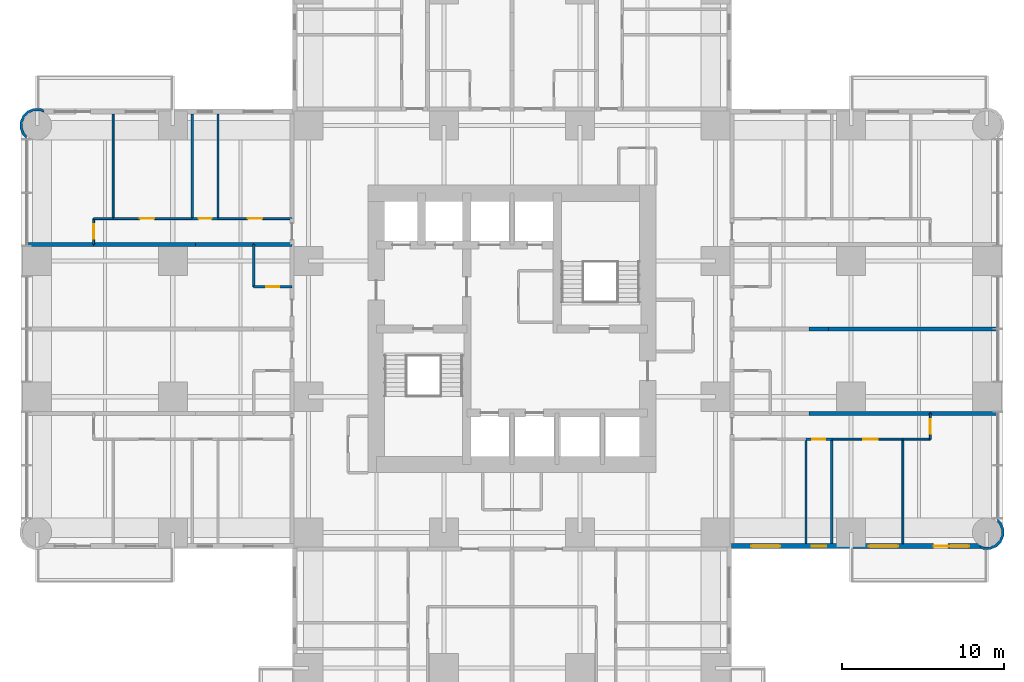
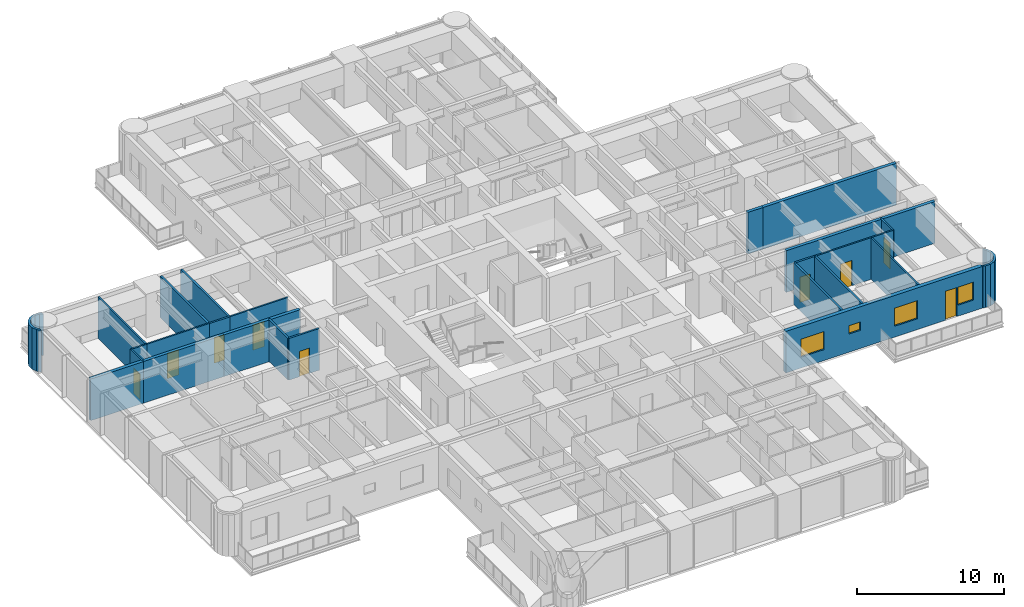
# One storey, part 11 of 17: 28 walls, 9 doors, 4 windows, 13 openings.
"""IFC4 building model written with IfcOpenShell, lengths in metres."""

from ifc_helpers import new_model, si_unit, direction, frame, frame_2d, origin, place, context, subcontext, project, spatial, polyline, rectangle, outline, extrude, material, layer, layer_set, type_object, element, fill, save


model = new_model("IFC4")

# Units and contexts
model_context = context("Model", 3, precision=1e-05, world=origin(), true_north=direction((0.0, 1.0)))
body_context = subcontext(model_context, "Body", "Model", "MODEL_VIEW")
ifc_project = project(units=[si_unit("LENGTHUNIT", "METRE"), si_unit("AREAUNIT", "SQUARE_METRE"), si_unit("VOLUMEUNIT", "CUBIC_METRE"), si_unit("PLANEANGLEUNIT", "RADIAN"), si_unit("MASSUNIT", "GRAM", prefix="KILO")], contexts=[model_context])

# Site, building, storey
site_placement = place(None, origin())
site = spatial("IfcSite", under=ifc_project, at=site_placement, CompositionType="ELEMENT")
building_placement = place(site_placement, origin())
building = spatial("IfcBuilding", under=site, at=building_placement, Name="Torre Alcanfor", CompositionType="ELEMENT")
storey_placement = place(building_placement, frame((0.0, 0.0, 84.89990234375)))
storey = spatial("IfcBuildingStorey", under=building, at=storey_placement, Name="L21", CompositionType="ELEMENT", Elevation=84.89990234375)

# Wall, opening, door
ifc_material_1 = material(Name="Gypsum board on steel studs", Category="steel")
ifc_layer_1 = layer(ifc_material_1, 0.1201171875)
ifc_layer_set_1 = layer_set([ifc_layer_1], Name="Apartment partition 120")
wall_type_1 = type_object("IfcWallType", Name="Apartment partition 120", PredefinedType="PARTITIONING", material=ifc_layer_set_1)
wall_1_placement = place(storey_placement, frame((53.60009765625, 22.571044921875, 0.0), z_axis=(0.0, 0.0, 1.0), x_axis=(-1.0, 0.0, 0.0)))
wall_1 = element("IfcWall", 1, at=wall_1_placement, inside=storey, type_object=wall_type_1, Name="Partition L21-E2B-HALL / L21-E2B-STUDY", PredefinedType="PARTITIONING", context=body_context, shape_type="SweptSolid", body=[
    extrude(rectangle(XDim=4.400146484375, YDim=0.1201171875, at=frame_2d((2.2001953125, 0.0))), origin(), (0.0, 0.0, 1.0), 3.4501953125),
])
opening_1_placement = place(wall_1_placement, frame((1.550048828125, 0.0, 0.0)))
opening_1 = element("IfcOpeningElement", 2, at=opening_1_placement, cuts=wall_1, Name="Opening D-R1", PredefinedType="OPENING", context=body_context, shape_type="SweptSolid", body=[
    extrude(rectangle(XDim=0.89990234375, YDim=2.10009765625, at=frame_2d((0.449951171875, 1.050048828125))), frame((0.0, 0.070068359375, 0.0), z_axis=(0.0, -1.0, 0.0), x_axis=(1.0, 0.0, 0.0)), (0.0, 0.0, 1.0), 0.14013671875),
])
ifc_material_2 = material(Name="Timber", Category="wood")
door_type_1 = type_object("IfcDoorType", Name="Internal door 900x2100", OperationType="SINGLE_SWING_LEFT", PredefinedType="DOOR", material=ifc_material_2)
door_1_placement = place(opening_1_placement, origin())
door_1 = element("IfcDoor", 3, at=door_1_placement, inside=storey, type_object=door_type_1, Name="Door L21-E2B study", OperationType="SINGLE_SWING_LEFT", OverallHeight=2.10009765625, OverallWidth=0.89990234375, PredefinedType="DOOR", context=body_context, shape_type="SweptSolid", body=[
    extrude(rectangle(XDim=0.89990234375, YDim=2.10009765625, at=frame_2d((0.449951171875, 1.050048828125))), frame((0.0, 0.02490234375, 0.0), z_axis=(0.0, -1.0, 0.0), x_axis=(1.0, 0.0, 0.0)), (0.0, 0.0, 1.0), 0.050048828125),
])
fill(opening_1, door_1)

# Wall
wall_2_placement = place(storey_placement, frame((55.300048828125, 22.571044921875, 0.0), z_axis=(0.0, 0.0, 1.0), x_axis=(-1.0, 0.0, 0.0)))
element("IfcWall", 4, at=wall_2_placement, inside=storey, type_object=wall_type_1, Name="Partition L21-E2B-HALL / L21-E2B-KITCHEN", PredefinedType="PARTITIONING", context=body_context, shape_type="SweptSolid", body=[
    extrude(rectangle(XDim=1.699951171875, YDim=0.1201171875, at=frame_2d((0.85009765625, 0.0))), origin(), (0.0, 0.0, 1.0), 3.4501953125),
])

# Wall, opening, door
wall_3_placement = place(storey_placement, frame((55.300048828125, 24.1708984375, 0.0), z_axis=(0.0, 0.0, 1.0), x_axis=(0.0, -1.0, 0.0)))
wall_3 = element("IfcWall", 5, at=wall_3_placement, inside=storey, type_object=wall_type_1, Name="Partition L21-E2B-HALL / L21-E2B-LIVING", PredefinedType="PARTITIONING", context=body_context, shape_type="SweptSolid", body=[
    extrude(rectangle(XDim=1.599853515625, YDim=0.1201171875, at=frame_2d((0.7998046875, 0.0))), origin(), (0.0, 0.0, 1.0), 3.4501953125),
])
opening_2_placement = place(wall_3_placement, frame((0.35009765625, 0.0, 0.0)))
opening_2 = element("IfcOpeningElement", 6, at=opening_2_placement, cuts=wall_3, Name="Opening D-R1", PredefinedType="OPENING", context=body_context, shape_type="SweptSolid", body=[
    extrude(rectangle(XDim=0.89990234375, YDim=2.10009765625, at=frame_2d((0.449951171875, 1.050048828125))), frame((0.0, 0.070068359375, 0.0), z_axis=(0.0, -1.0, 0.0), x_axis=(1.0, 0.0, 0.0)), (0.0, 0.0, 1.0), 0.14013671875),
])
door_2_placement = place(opening_2_placement, origin())
door_2 = element("IfcDoor", 7, at=door_2_placement, inside=storey, type_object=door_type_1, Name="Door L21-E2B living", OperationType="SINGLE_SWING_LEFT", OverallHeight=2.10009765625, OverallWidth=0.89990234375, PredefinedType="DOOR", context=body_context, shape_type="SweptSolid", body=[
    extrude(rectangle(XDim=0.89990234375, YDim=2.10009765625, at=frame_2d((0.449951171875, 1.050048828125))), frame((0.0, 0.02490234375, 0.0), z_axis=(0.0, -1.0, 0.0), x_axis=(1.0, 0.0, 0.0)), (0.0, 0.0, 1.0), 0.050048828125),
])
fill(opening_2, door_2)

# Wall
wall_4_placement = place(storey_placement, frame((53.60009765625, 22.571044921875, 0.0), z_axis=(0.0, 0.0, 1.0), x_axis=(0.0, -1.0, 0.0)))
element("IfcWall", 8, at=wall_4_placement, inside=storey, type_object=wall_type_1, Name="Partition L21-E2B-STUDY / L21-E2B-KITCHEN", PredefinedType="PARTITIONING", context=body_context, shape_type="SweptSolid", body=[
    extrude(rectangle(XDim=6.470947265625, YDim=0.1201171875, at=frame_2d((3.2353515625, 0.0))), origin(), (0.0, 0.0, 1.0), 3.4501953125),
])

# Wall, opening, door
wall_5_placement = place(storey_placement, frame((11.199951171875, 36.22900390625, 0.0), z_axis=(0.0, 0.0, 1.0), x_axis=(1.0, 0.0, 0.0)))
wall_5 = element("IfcWall", 9, at=wall_5_placement, inside=storey, type_object=wall_type_1, Name="Partition L21-W2B-HALL / L21-W2B-BED2", PredefinedType="PARTITIONING", context=body_context, shape_type="SweptSolid", body=[
    extrude(rectangle(XDim=4.574951171875, YDim=0.1201171875, at=frame_2d((2.28759765625, 0.0))), origin(), (0.0, 0.0, 1.0), 3.4501953125),
])
opening_3_placement = place(wall_5_placement, frame((1.85009765625, 0.0, 0.0)))
opening_3 = element("IfcOpeningElement", 10, at=opening_3_placement, cuts=wall_5, Name="Opening D-R1", PredefinedType="OPENING", context=body_context, shape_type="SweptSolid", body=[
    extrude(rectangle(XDim=0.89990234375, YDim=2.10009765625, at=frame_2d((0.449951171875, 1.050048828125))), frame((0.0, 0.070068359375, 0.0), z_axis=(0.0, -1.0, 0.0), x_axis=(1.0, 0.0, 0.0)), (0.0, 0.0, 1.0), 0.14013671875),
])
door_3_placement = place(opening_3_placement, origin())
door_3 = element("IfcDoor", 11, at=door_3_placement, inside=storey, type_object=door_type_1, Name="Door L21-W2B bed2", OperationType="SINGLE_SWING_RIGHT", OverallHeight=2.10009765625, OverallWidth=0.89990234375, PredefinedType="DOOR", context=body_context, shape_type="SweptSolid", body=[
    extrude(rectangle(XDim=0.89990234375, YDim=2.10009765625, at=frame_2d((0.449951171875, 1.050048828125))), frame((0.0, 0.02490234375, 0.0), z_axis=(0.0, -1.0, 0.0), x_axis=(1.0, 0.0, 0.0)), (0.0, 0.0, 1.0), 0.050048828125),
])
fill(opening_3, door_3)

wall_6_placement = place(storey_placement, frame((4.699951171875, 36.22900390625, 0.0), z_axis=(0.0, 0.0, 1.0), x_axis=(1.0, 0.0, 0.0)))
wall_6 = element("IfcWall", 12, at=wall_6_placement, inside=storey, type_object=wall_type_1, Name="Partition L21-W2B-HALL / L21-W2B-MASTER", PredefinedType="PARTITIONING", context=body_context, shape_type="SweptSolid", body=[
    extrude(rectangle(XDim=4.900146484375, YDim=0.1201171875, at=frame_2d((2.4501953125, 0.0))), origin(), (0.0, 0.0, 1.0), 3.4501953125),
])
opening_4_placement = place(wall_6_placement, frame((1.64990234375, 0.0, 0.0)))
opening_4 = element("IfcOpeningElement", 13, at=opening_4_placement, cuts=wall_6, Name="Opening D-R1", PredefinedType="OPENING", context=body_context, shape_type="SweptSolid", body=[
    extrude(rectangle(XDim=0.89990234375, YDim=2.10009765625, at=frame_2d((0.449951171875, 1.050048828125))), frame((0.0, 0.070068359375, 0.0), z_axis=(0.0, -1.0, 0.0), x_axis=(1.0, 0.0, 0.0)), (0.0, 0.0, 1.0), 0.14013671875),
])
door_4_placement = place(opening_4_placement, origin())
door_4 = element("IfcDoor", 14, at=door_4_placement, inside=storey, type_object=door_type_1, Name="Door L21-W2B master", OperationType="SINGLE_SWING_LEFT", OverallHeight=2.10009765625, OverallWidth=0.89990234375, PredefinedType="DOOR", context=body_context, shape_type="SweptSolid", body=[
    extrude(rectangle(XDim=0.89990234375, YDim=2.10009765625, at=frame_2d((0.449951171875, 1.050048828125))), frame((0.0, 0.02490234375, 0.0), z_axis=(0.0, -1.0, 0.0), x_axis=(1.0, 0.0, 0.0)), (0.0, 0.0, 1.0), 0.050048828125),
])
fill(opening_4, door_4)

# Wall
wall_7_placement = place(storey_placement, frame((3.5, 36.22900390625, 0.0), z_axis=(0.0, 0.0, 1.0), x_axis=(1.0, 0.0, 0.0)))
element("IfcWall", 15, at=wall_7_placement, inside=storey, type_object=wall_type_1, Name="Partition L21-W2B-HALL / L21-W2B-KITCHEN", PredefinedType="PARTITIONING", context=body_context, shape_type="SweptSolid", body=[
    extrude(rectangle(XDim=1.199951171875, YDim=0.1201171875, at=frame_2d((0.60009765625, 0.0))), origin(), (0.0, 0.0, 1.0), 3.4501953125),
])

# Wall, opening, door
wall_8_placement = place(storey_placement, frame((3.5, 34.62890625, 0.0), z_axis=(0.0, 0.0, 1.0), x_axis=(0.0, 1.0, 0.0)))
wall_8 = element("IfcWall", 16, at=wall_8_placement, inside=storey, type_object=wall_type_1, Name="Partition L21-W2B-HALL / L21-W2B-LIVING", PredefinedType="PARTITIONING", context=body_context, shape_type="SweptSolid", body=[
    extrude(rectangle(XDim=1.60009765625, YDim=0.1201171875, at=frame_2d((0.800048828125, 0.0))), origin(), (0.0, 0.0, 1.0), 3.4501953125),
])
opening_5_placement = place(wall_8_placement, frame((0.35009765625, 0.0, 0.0)))
opening_5 = element("IfcOpeningElement", 17, at=opening_5_placement, cuts=wall_8, Name="Opening D-R1", PredefinedType="OPENING", context=body_context, shape_type="SweptSolid", body=[
    extrude(rectangle(XDim=0.89990234375, YDim=2.10009765625, at=frame_2d((0.449951171875, 1.050048828125))), frame((0.0, 0.070068359375, 0.0), z_axis=(0.0, -1.0, 0.0), x_axis=(1.0, 0.0, 0.0)), (0.0, 0.0, 1.0), 0.14013671875),
])
door_5_placement = place(opening_5_placement, origin())
door_5 = element("IfcDoor", 18, at=door_5_placement, inside=storey, type_object=door_type_1, Name="Door L21-W2B living", OperationType="SINGLE_SWING_LEFT", OverallHeight=2.10009765625, OverallWidth=0.89990234375, PredefinedType="DOOR", context=body_context, shape_type="SweptSolid", body=[
    extrude(rectangle(XDim=0.89990234375, YDim=2.10009765625, at=frame_2d((0.449951171875, 1.050048828125))), frame((0.0, 0.02490234375, 0.0), z_axis=(0.0, -1.0, 0.0), x_axis=(1.0, 0.0, 0.0)), (0.0, 0.0, 1.0), 0.050048828125),
])
fill(opening_5, door_5)

# Wall
wall_9_placement = place(storey_placement, frame((4.699951171875, 36.22900390625, 0.0), z_axis=(0.0, 0.0, 1.0), x_axis=(0.0, 1.0, 0.0)))
element("IfcWall", 19, at=wall_9_placement, inside=storey, type_object=wall_type_1, Name="Partition L21-W2B-MASTER / L21-W2B-KITCHEN", PredefinedType="PARTITIONING", context=body_context, shape_type="SweptSolid", body=[
    extrude(rectangle(XDim=6.470947265625, YDim=0.1201171875, at=frame_2d((3.2353515625, 0.0))), origin(), (0.0, 0.0, 1.0), 3.4501953125),
])

# Wall, openings, door, windows
ifc_material_3 = material(Name="Limestone cladding", Category="masonry")
ifc_layer_2 = layer(ifc_material_3, 0.0400390625, Name="Facing")
ifc_material_4 = material(Name="Ventilated air cavity")
ifc_layer_3 = layer(ifc_material_4, 0.02001953125, ventilated=True, Name="Ventilated joint")
ifc_material_5 = material(Name="Mineral wool insulation", Category="insulation")
ifc_layer_4 = layer(ifc_material_5, 0.10009765625, Name="Insulation")
ifc_material_6 = material(Name="Concrete f'c 35 MPa", Category="concrete")
ifc_layer_5 = layer(ifc_material_6, 0.139892578125, Name="Backing")
ifc_layer_set_2 = layer_set([ifc_layer_2, ifc_layer_3, ifc_layer_4, ifc_layer_5], Name="External wall stone-clad 300")
wall_type_2 = type_object("IfcWallType", Name="External wall stone-clad 300", PredefinedType="SOLIDWALL", material=ifc_layer_set_2)
wall_10_placement = place(storey_placement, frame((43.0, 15.949951171875, 0.0), z_axis=(0.0, 0.0, 1.0), x_axis=(1.0, 0.0, 0.0)))
wall_10 = element("IfcWall", 20, at=wall_10_placement, inside=storey, type_object=wall_type_2, Name="External wall L21 7", PredefinedType="SOLIDWALL", context=body_context, shape_type="SweptSolid", body=[
    extrude(rectangle(XDim=15.39990234375, YDim=0.300048828125, at=frame_2d((7.699951171875, 0.0))), origin(), (0.0, 0.0, 1.0), 3.4501953125),
])
opening_6_placement = place(wall_10_placement, frame((1.199951171875, 0.0, 0.89990234375)))
opening_6 = element("IfcOpeningElement", 21, at=opening_6_placement, cuts=wall_10, Name="Opening W2", PredefinedType="OPENING", context=body_context, shape_type="SweptSolid", body=[
    extrude(rectangle(XDim=1.800048828125, YDim=1.5, at=frame_2d((0.89990234375, 0.75))), frame((0.0, 0.159912109375, 0.0), z_axis=(0.0, -1.0, 0.0), x_axis=(1.0, 0.0, 0.0)), (0.0, 0.0, 1.0), 0.320068359375),
])
opening_7_placement = place(wall_10_placement, frame((4.949951171875, 0.0, 1.5)))
opening_7 = element("IfcOpeningElement", 22, at=opening_7_placement, cuts=wall_10, Name="Opening W3", PredefinedType="OPENING", context=body_context, shape_type="SweptSolid", body=[
    extrude(rectangle(XDim=0.89990234375, YDim=0.699951171875, at=frame_2d((0.449951171875, 0.35009765625))), frame((0.0, 0.159912109375, 0.0), z_axis=(0.0, -1.0, 0.0), x_axis=(1.0, 0.0, 0.0)), (0.0, 0.0, 1.0), 0.320068359375),
])
opening_8_placement = place(wall_10_placement, frame((8.5, 0.0, 0.89990234375)))
opening_8 = element("IfcOpeningElement", 23, at=opening_8_placement, cuts=wall_10, Name="Opening W2", PredefinedType="OPENING", context=body_context, shape_type="SweptSolid", body=[
    extrude(rectangle(XDim=1.800048828125, YDim=1.5, at=frame_2d((0.89990234375, 0.75))), frame((0.0, 0.159912109375, 0.0), z_axis=(0.0, -1.0, 0.0), x_axis=(1.0, 0.0, 0.0)), (0.0, 0.0, 1.0), 0.320068359375),
])
opening_9_placement = place(wall_10_placement, frame((12.5, 0.0, 0.0)))
opening_9 = element("IfcOpeningElement", 24, at=opening_9_placement, cuts=wall_10, Name="Opening D-B1", PredefinedType="OPENING", context=body_context, shape_type="SweptSolid", body=[
    extrude(rectangle(XDim=0.89990234375, YDim=2.39990234375, at=frame_2d((0.449951171875, 1.199951171875))), frame((0.0, 0.159912109375, 0.0), z_axis=(0.0, -1.0, 0.0), x_axis=(1.0, 0.0, 0.0)), (0.0, 0.0, 1.0), 0.320068359375),
])
opening_10_placement = place(wall_10_placement, frame((13.5, 0.0, 0.89990234375)))
opening_10 = element("IfcOpeningElement", 25, at=opening_10_placement, cuts=wall_10, Name="Opening W4", PredefinedType="OPENING", context=body_context, shape_type="SweptSolid", body=[
    extrude(rectangle(XDim=1.199951171875, YDim=1.5, at=frame_2d((0.60009765625, 0.75))), frame((0.0, 0.159912109375, 0.0), z_axis=(0.0, -1.0, 0.0), x_axis=(1.0, 0.0, 0.0)), (0.0, 0.0, 1.0), 0.320068359375),
])
ifc_material_7 = material(Name="Aluminium and glass", Category="aluminium")
door_type_2 = type_object("IfcDoorType", Name="Balcony door glazed 900x2400", OperationType="SINGLE_SWING_LEFT", PredefinedType="DOOR", material=ifc_material_7)
door_6_placement = place(opening_9_placement, origin())
door_6 = element("IfcDoor", 26, at=door_6_placement, inside=storey, type_object=door_type_2, Name="Balcony door L21-E2", OperationType="SINGLE_SWING_LEFT", OverallHeight=2.39990234375, OverallWidth=0.89990234375, PredefinedType="DOOR", context=body_context, shape_type="SweptSolid", body=[
    extrude(rectangle(XDim=0.89990234375, YDim=2.39990234375, at=frame_2d((0.449951171875, 1.199951171875))), frame((0.0, 0.02490234375, 0.0), z_axis=(0.0, -1.0, 0.0), x_axis=(1.0, 0.0, 0.0)), (0.0, 0.0, 1.0), 0.050048828125),
])
fill(opening_9, door_6)
ifc_material_8 = material(Name="Aluminium frame with clear double glazing", Category="aluminium")
window_type_1 = type_object("IfcWindowType", Name="Window bathroom 900x700", PartitioningType="SINGLE_PANEL", PredefinedType="WINDOW", material=ifc_material_8)
window_1_placement = place(opening_7_placement, origin())
window_1 = element("IfcWindow", 27, at=window_1_placement, inside=storey, type_object=window_type_1, Name="Window W3 L21-E2", OverallHeight=0.699951171875, OverallWidth=0.89990234375, PartitioningType="SINGLE_PANEL", PredefinedType="WINDOW", context=body_context, shape_type="SweptSolid", body=[
    extrude(rectangle(XDim=0.89990234375, YDim=0.699951171875, at=frame_2d((0.449951171875, 0.35009765625))), frame((0.0, 0.030029296875, 0.0), z_axis=(0.0, -1.0, 0.0), x_axis=(1.0, 0.0, 0.0)), (0.0, 0.0, 1.0), 0.06005859375),
])
fill(opening_7, window_1)
ifc_material_9 = material(Name="Aluminium frame with clear double glazing", Category="aluminium")
window_type_2 = type_object("IfcWindowType", Name="Window bedroom 1200x1500", PartitioningType="SINGLE_PANEL", PredefinedType="WINDOW", material=ifc_material_9)
window_2_placement = place(opening_10_placement, origin())
window_2 = element("IfcWindow", 28, at=window_2_placement, inside=storey, type_object=window_type_2, Name="Window W4 L21-E2", OverallHeight=1.5, OverallWidth=1.199951171875, PartitioningType="SINGLE_PANEL", PredefinedType="WINDOW", context=body_context, shape_type="SweptSolid", body=[
    extrude(rectangle(XDim=1.199951171875, YDim=1.5, at=frame_2d((0.60009765625, 0.75))), frame((0.0, 0.030029296875, 0.0), z_axis=(0.0, -1.0, 0.0), x_axis=(1.0, 0.0, 0.0)), (0.0, 0.0, 1.0), 0.06005859375),
])
fill(opening_10, window_2)
ifc_material_10 = material(Name="Aluminium frame with clear double glazing", Category="aluminium")
window_type_3 = type_object("IfcWindowType", Name="Window bedroom 1800x1500", PartitioningType="SINGLE_PANEL", PredefinedType="WINDOW", material=ifc_material_10)
window_3_placement = place(opening_6_placement, origin())
window_3 = element("IfcWindow", 29, at=window_3_placement, inside=storey, type_object=window_type_3, Name="Window W2 L21-E2", OverallHeight=1.5, OverallWidth=1.800048828125, PartitioningType="SINGLE_PANEL", PredefinedType="WINDOW", context=body_context, shape_type="SweptSolid", body=[
    extrude(rectangle(XDim=1.800048828125, YDim=1.5, at=frame_2d((0.89990234375, 0.75))), frame((0.0, 0.030029296875, 0.0), z_axis=(0.0, -1.0, 0.0), x_axis=(1.0, 0.0, 0.0)), (0.0, 0.0, 1.0), 0.06005859375),
])
fill(opening_6, window_3)
window_4_placement = place(opening_8_placement, origin())
window_4 = element("IfcWindow", 30, at=window_4_placement, inside=storey, type_object=window_type_3, Name="Window W2 L21-E2", OverallHeight=1.5, OverallWidth=1.800048828125, PartitioningType="SINGLE_PANEL", PredefinedType="WINDOW", context=body_context, shape_type="SweptSolid", body=[
    extrude(rectangle(XDim=1.800048828125, YDim=1.5, at=frame_2d((0.89990234375, 0.75))), frame((0.0, 0.030029296875, 0.0), z_axis=(0.0, -1.0, 0.0), x_axis=(1.0, 0.0, 0.0)), (0.0, 0.0, 1.0), 0.06005859375),
])
fill(opening_8, window_4)

# Walls
ifc_material_11 = material(Name="Concrete block masonry, hollow blocks NMX-C-404 9 MPa", Category="masonry")
ifc_layer_6 = layer(ifc_material_11, 0.25)
ifc_layer_set_3 = layer_set([ifc_layer_6], Name="Party wall 250 EI 60")
wall_type_3 = type_object("IfcWallType", Name="Party wall 250 EI 60", PredefinedType="PARTITIONING", material=ifc_layer_set_3)
wall_11_placement = place(storey_placement, frame((47.800048828125, 29.39990234375, 0.0), z_axis=(0.0, 0.0, 1.0), x_axis=(1.0, 0.0, 0.0)))
element("IfcWall", 31, at=wall_11_placement, inside=storey, type_object=wall_type_3, Name="Partition L21-E1A-KITCHEN / L21-E2A-STUDIO", PredefinedType="PARTITIONING", context=body_context, shape_type="SweptSolid", body=[
    extrude(rectangle(XDim=1.199951171875, YDim=0.25, at=frame_2d((0.60009765625, 0.0))), origin(), (0.0, 0.0, 1.0), 3.4501953125),
])
wall_12_placement = place(storey_placement, frame((49.0, 29.39990234375, 0.0), z_axis=(0.0, 0.0, 1.0), x_axis=(1.0, 0.0, 0.0)))
element("IfcWall", 32, at=wall_12_placement, inside=storey, type_object=wall_type_3, Name="Partition L21-E1A-STUDIO / L21-E2A-STUDIO", PredefinedType="PARTITIONING", context=body_context, shape_type="SweptSolid", body=[
    extrude(rectangle(XDim=10.449951171875, YDim=0.25, at=frame_2d((5.22509765625, 0.0))), origin(), (0.0, 0.0, 1.0), 3.4501953125),
])
wall_13_placement = place(storey_placement, frame((55.300048828125, 24.1708984375, 0.0), z_axis=(0.0, 0.0, 1.0), x_axis=(-1.0, 0.0, 0.0)))
element("IfcWall", 33, at=wall_13_placement, inside=storey, type_object=wall_type_3, Name="Partition L21-E2A-STUDIO / L21-E2B-HALL", PredefinedType="PARTITIONING", context=body_context, shape_type="SweptSolid", body=[
    extrude(rectangle(XDim=7.5, YDim=0.25, at=frame_2d((3.75, 0.0))), origin(), (0.0, 0.0, 1.0), 3.4501953125),
])
wall_14_placement = place(storey_placement, frame((59.449951171875, 24.1708984375, 0.0), z_axis=(0.0, 0.0, 1.0), x_axis=(-1.0, 0.0, 0.0)))
element("IfcWall", 34, at=wall_14_placement, inside=storey, type_object=wall_type_3, Name="Partition L21-E2A-STUDIO / L21-E2B-LIVING", PredefinedType="PARTITIONING", context=body_context, shape_type="SweptSolid", body=[
    extrude(rectangle(XDim=4.14990234375, YDim=0.25, at=frame_2d((2.074951171875, 0.0))), origin(), (0.0, 0.0, 1.0), 3.4501953125),
])
wall_15_placement = place(storey_placement, frame((13.39990234375, 34.62890625, 0.0), z_axis=(0.0, 0.0, 1.0), x_axis=(1.0, 0.0, 0.0)))
element("IfcWall", 35, at=wall_15_placement, inside=storey, type_object=wall_type_3, Name="Partition L21-W2A-BATH / L21-W2B-HALL", PredefinedType="PARTITIONING", context=body_context, shape_type="SweptSolid", body=[
    extrude(rectangle(XDim=2.375, YDim=0.25, at=frame_2d((1.1875, 0.0))), origin(), (0.0, 0.0, 1.0), 3.4501953125),
])
wall_16_placement = place(storey_placement, frame((9.800048828125, 34.62890625, 0.0), z_axis=(0.0, 0.0, 1.0), x_axis=(1.0, 0.0, 0.0)))
element("IfcWall", 36, at=wall_16_placement, inside=storey, type_object=wall_type_3, Name="Partition L21-W2A-KITCHEN / L21-W2B-HALL", PredefinedType="PARTITIONING", context=body_context, shape_type="SweptSolid", body=[
    extrude(rectangle(XDim=3.599853515625, YDim=0.25, at=frame_2d((1.7998046875, 0.0))), origin(), (0.0, 0.0, 1.0), 3.4501953125),
])
wall_17_placement = place(storey_placement, frame((3.5, 34.62890625, 0.0), z_axis=(0.0, 0.0, 1.0), x_axis=(1.0, 0.0, 0.0)))
element("IfcWall", 37, at=wall_17_placement, inside=storey, type_object=wall_type_3, Name="Partition L21-W2A-STUDIO / L21-W2B-HALL", PredefinedType="PARTITIONING", context=body_context, shape_type="SweptSolid", body=[
    extrude(rectangle(XDim=6.300048828125, YDim=0.25, at=frame_2d((3.14990234375, 0.0))), origin(), (0.0, 0.0, 1.0), 3.4501953125),
])
wall_18_placement = place(storey_placement, frame((-0.64990234375, 34.62890625, 0.0), z_axis=(0.0, 0.0, 1.0), x_axis=(1.0, 0.0, 0.0)))
element("IfcWall", 38, at=wall_18_placement, inside=storey, type_object=wall_type_3, Name="Partition L21-W2A-STUDIO / L21-W2B-LIVING", PredefinedType="PARTITIONING", context=body_context, shape_type="SweptSolid", body=[
    extrude(rectangle(XDim=4.14990234375, YDim=0.25, at=frame_2d((2.074951171875, 0.0))), origin(), (0.0, 0.0, 1.0), 3.4501953125),
])
ifc_layer_7 = layer(ifc_material_3, 0.0400390625, Name="Facing")
ifc_layer_8 = layer(ifc_material_4, 0.02001953125, ventilated=True, Name="Ventilated joint")
ifc_layer_9 = layer(ifc_material_5, 0.10009765625, Name="Insulation")
ifc_layer_10 = layer(ifc_material_6, 0.139892578125, Name="Backing")
ifc_layer_set_4 = layer_set([ifc_layer_7, ifc_layer_8, ifc_layer_9, ifc_layer_10], Name="Rounded corner pier stone-clad 300")
wall_type_4 = type_object("IfcWallType", Name="Rounded corner pier stone-clad 300", PredefinedType="SOLIDWALL", material=ifc_layer_set_4)
wall_19_placement = place(storey_placement, frame((0.363962863, 42.909907157, 0.0), z_axis=(0.0, 0.0, 1.0), x_axis=(-0.926129809145, 0.377204953059, 0.0)))
element("IfcWall", 39, at=wall_19_placement, inside=storey, type_object=wall_type_4, Name="Corner pier L21 13", PredefinedType="SOLIDWALL", context=body_context, shape_type="SweptSolid", body=[
    extrude(outline(polyline([(0.36027248147905344, 1.8032799323574271), (0.5087783723473315, 1.740921099842025), (0.7605913470133172, 1.4857584601095954), (0.8957810128069955, 1.1538349835897281), (0.8939031559639274, 0.7953461823991875), (0.7547957339381889, 0.4650577343600455), (0.4996330942057594, 0.21324475969405968), (0.1677096176858921, 0.07805509390038129), (-0.09992182078970525, 0.07950523369113624), (0.0006988421670046999, -0.09699421764222865), (0.0300177129428464, -0.08030783699434613), (0.19858532179107968, -0.08124570553990346), (0.5888441232034033, 0.0777034519259609), (0.8888369702307105, 0.374136779300854), (1.052603126025944, 0.7629734686109036), (1.0550818122472803, 1.1847106876949156), (0.8961326547814159, 1.5749694891072394), (0.7776866026168303, 1.6949130219751851), (0.7691400347446393, 1.7275471706587737), (0.7502646662372825, 1.7227591424871238), (0.599699327406523, 1.8749623361345464), (0.2945484394782597, 2.0034825844222954), (0.2809820848521072, 1.9979571212427172), (0.36027248147905344, 1.8032799323574271)])), origin(), (0.0, 0.0, 1.0), 3.4501953125),
])
wall_20_placement = place(storey_placement, frame((58.436037137, 15.890092843, 0.0), z_axis=(0.0, 0.0, 1.0), x_axis=(0.926129809145, -0.377204953059, 0.0)))
element("IfcWall", 40, at=wall_20_placement, inside=storey, type_object=wall_type_4, Name="Corner pier L21 17", PredefinedType="SOLIDWALL", context=body_context, shape_type="SweptSolid", body=[
    extrude(outline(polyline([(0.769166837716128, 1.7276108100514604), (0.7500653632983351, 1.7227306908268178), (0.5995000244675756, 1.8749338844742405), (0.2945752424497483, 2.003546223814982), (0.2810088878235957, 1.9980207606354041), (0.36029928445054193, 1.803343571750114), (0.5086711604613772, 1.740666542271283), (0.7606181499848057, 1.4858220995022824), (0.8958078157784841, 1.153898622982415), (0.8937038530249802, 0.7953177307388815), (0.7545964309992416, 0.4650292826997394), (0.49975198823024103, 0.21308229317631072), (0.16782851171037358, 0.07789262738263233), (-0.0998950178182167, 0.07956887308382314), (0.0004995392280573718, -0.09702266930253471), (0.03004451591433495, -0.08024419760165923), (0.19838601885213236, -0.08127415720020953), (0.5888709261748919, 0.07776709131864781), (0.888863773202199, 0.37420041869354087), (1.0524038230869968, 0.7629450169505976), (1.0552007062717619, 1.1845482211771667), (0.8961594577529046, 1.5750331284999262), (0.777713405588319, 1.694976661367872), (0.769166837716128, 1.7276108100514604)])), origin(), (0.0, 0.0, 1.0), 3.4501953125),
])

# Wall, opening, door
ifc_material_12 = material(Name="Cement board on steel studs", Category="steel")
ifc_layer_11 = layer(ifc_material_12, 0.14990234375)
ifc_layer_set_5 = layer_set([ifc_layer_11], Name="Wet area partition 150")
wall_type_5 = type_object("IfcWallType", Name="Wet area partition 150", PredefinedType="PARTITIONING", material=ifc_layer_set_5)
wall_21_placement = place(storey_placement, frame((49.199951171875, 22.571044921875, 0.0), z_axis=(0.0, 0.0, 1.0), x_axis=(-1.0, 0.0, 0.0)))
wall_21 = element("IfcWall", 41, at=wall_21_placement, inside=storey, type_object=wall_type_5, Name="Partition L21-E2B-HALL / L21-E2B-BATH", PredefinedType="PARTITIONING", context=body_context, shape_type="SweptSolid", body=[
    extrude(rectangle(XDim=1.599853515625, YDim=0.14990234375, at=frame_2d((0.7998046875, 0.0))), origin(), (0.0, 0.0, 1.0), 3.4501953125),
])
opening_11_placement = place(wall_21_placement, frame((0.39990234375, 0.0, 0.0)))
opening_11 = element("IfcOpeningElement", 42, at=opening_11_placement, cuts=wall_21, Name="Opening D-R2", PredefinedType="OPENING", context=body_context, shape_type="SweptSolid", body=[
    extrude(rectangle(XDim=0.800048828125, YDim=2.10009765625, at=frame_2d((0.39990234375, 1.050048828125))), frame((0.0, 0.0849609375, 0.0), z_axis=(0.0, -1.0, 0.0), x_axis=(1.0, 0.0, 0.0)), (0.0, 0.0, 1.0), 0.169921875),
])
ifc_material_13 = material(Name="Timber", Category="wood")
door_type_3 = type_object("IfcDoorType", Name="Bathroom door 800x2100", OperationType="SINGLE_SWING_LEFT", PredefinedType="DOOR", material=ifc_material_13)
door_7_placement = place(opening_11_placement, origin())
door_7 = element("IfcDoor", 43, at=door_7_placement, inside=storey, type_object=door_type_3, Name="Door L21-E2B bath", OperationType="SINGLE_SWING_LEFT", OverallHeight=2.10009765625, OverallWidth=0.800048828125, PredefinedType="DOOR", context=body_context, shape_type="SweptSolid", body=[
    extrude(rectangle(XDim=0.800048828125, YDim=2.10009765625, at=frame_2d((0.39990234375, 1.050048828125))), frame((0.0, 0.02490234375, 0.0), z_axis=(0.0, -1.0, 0.0), x_axis=(1.0, 0.0, 0.0)), (0.0, 0.0, 1.0), 0.050048828125),
])
fill(opening_11, door_7)

# Walls
for number, where, z_axis, x_axis, name in (
    (44, (47.60009765625, 22.571044921875, 0.0), (0.0, 0.0, 1.0), (0.0, -1.0, 0.0), "Partition L21-E2B-MASTER / L21-E2B-BATH"),
    (45, (49.199951171875, 22.571044921875, 0.0), (0.0, 0.0, 1.0), (0.0, -1.0, 0.0), "Partition L21-E2B-BATH / L21-E2B-STUDY"),
):
    element("IfcWall", number, at=place(storey_placement, frame(where, z_axis=z_axis, x_axis=x_axis)), inside=storey, type_object=wall_type_5, Name=name, PredefinedType="PARTITIONING", context=body_context, shape_type="SweptSolid", body=[
        extrude(rectangle(XDim=6.470947265625, YDim=0.14990234375, at=frame_2d((3.2353515625, 0.0))), origin(), (0.0, 0.0, 1.0), 3.4501953125),
    ])

# Wall, opening, door
wall_22_placement = place(storey_placement, frame((13.39990234375, 32.0, 0.0), z_axis=(0.0, 0.0, 1.0), x_axis=(1.0, 0.0, 0.0)))
wall_22 = element("IfcWall", 46, at=wall_22_placement, inside=storey, type_object=wall_type_5, Name="Partition L21-W2A-FOYER / L21-W2A-BATH", PredefinedType="PARTITIONING", context=body_context, shape_type="SweptSolid", body=[
    extrude(rectangle(XDim=2.375, YDim=0.14990234375, at=frame_2d((1.1875, 0.0))), origin(), (0.0, 0.0, 1.0), 3.4501953125),
])
opening_12_placement = place(wall_22_placement, frame((0.800048828125, 0.0, 0.0)))
opening_12 = element("IfcOpeningElement", 47, at=opening_12_placement, cuts=wall_22, Name="Opening D-R2", PredefinedType="OPENING", context=body_context, shape_type="SweptSolid", body=[
    extrude(rectangle(XDim=0.800048828125, YDim=2.10009765625, at=frame_2d((0.39990234375, 1.050048828125))), frame((0.0, 0.0849609375, 0.0), z_axis=(0.0, -1.0, 0.0), x_axis=(1.0, 0.0, 0.0)), (0.0, 0.0, 1.0), 0.169921875),
])
door_8_placement = place(opening_12_placement, origin())
door_8 = element("IfcDoor", 48, at=door_8_placement, inside=storey, type_object=door_type_3, Name="Door L21-W2A bath", OperationType="SINGLE_SWING_RIGHT", OverallHeight=2.10009765625, OverallWidth=0.800048828125, PredefinedType="DOOR", context=body_context, shape_type="SweptSolid", body=[
    extrude(rectangle(XDim=0.800048828125, YDim=2.10009765625, at=frame_2d((0.39990234375, 1.050048828125))), frame((0.0, 0.02490234375, 0.0), z_axis=(0.0, -1.0, 0.0), x_axis=(1.0, 0.0, 0.0)), (0.0, 0.0, 1.0), 0.050048828125),
])
fill(opening_12, door_8)

# Wall
wall_23_placement = place(storey_placement, frame((13.39990234375, 32.0, 0.0), z_axis=(0.0, 0.0, 1.0), x_axis=(0.0, 1.0, 0.0)))
element("IfcWall", 49, at=wall_23_placement, inside=storey, type_object=wall_type_5, Name="Partition L21-W2A-BATH / L21-W2A-KITCHEN", PredefinedType="PARTITIONING", context=body_context, shape_type="SweptSolid", body=[
    extrude(rectangle(XDim=2.62890625, YDim=0.14990234375, at=frame_2d((1.314453125, 0.0))), origin(), (0.0, 0.0, 1.0), 3.4501953125),
])

# Wall, opening, door
wall_24_placement = place(storey_placement, frame((9.60009765625, 36.22900390625, 0.0), z_axis=(0.0, 0.0, 1.0), x_axis=(1.0, 0.0, 0.0)))
wall_24 = element("IfcWall", 50, at=wall_24_placement, inside=storey, type_object=wall_type_5, Name="Partition L21-W2B-HALL / L21-W2B-BATH", PredefinedType="PARTITIONING", context=body_context, shape_type="SweptSolid", body=[
    extrude(rectangle(XDim=1.599853515625, YDim=0.14990234375, at=frame_2d((0.7998046875, 0.0))), origin(), (0.0, 0.0, 1.0), 3.4501953125),
])
opening_13_placement = place(wall_24_placement, frame((0.39990234375, 0.0, 0.0)))
opening_13 = element("IfcOpeningElement", 51, at=opening_13_placement, cuts=wall_24, Name="Opening D-R2", PredefinedType="OPENING", context=body_context, shape_type="SweptSolid", body=[
    extrude(rectangle(XDim=0.800048828125, YDim=2.10009765625, at=frame_2d((0.39990234375, 1.050048828125))), frame((0.0, 0.0849609375, 0.0), z_axis=(0.0, -1.0, 0.0), x_axis=(1.0, 0.0, 0.0)), (0.0, 0.0, 1.0), 0.169921875),
])
door_9_placement = place(opening_13_placement, origin())
door_9 = element("IfcDoor", 52, at=door_9_placement, inside=storey, type_object=door_type_3, Name="Door L21-W2B bath", OperationType="SINGLE_SWING_LEFT", OverallHeight=2.10009765625, OverallWidth=0.800048828125, PredefinedType="DOOR", context=body_context, shape_type="SweptSolid", body=[
    extrude(rectangle(XDim=0.800048828125, YDim=2.10009765625, at=frame_2d((0.39990234375, 1.050048828125))), frame((0.0, 0.02490234375, 0.0), z_axis=(0.0, -1.0, 0.0), x_axis=(1.0, 0.0, 0.0)), (0.0, 0.0, 1.0), 0.050048828125),
])
fill(opening_13, door_9)

# Walls
for number, where, z_axis, x_axis, name in (
    (53, (11.199951171875, 36.22900390625, 0.0), (0.0, 0.0, 1.0), (0.0, 1.0, 0.0), "Partition L21-W2B-BED2 / L21-W2B-BATH"),
    (54, (9.60009765625, 36.22900390625, 0.0), (0.0, 0.0, 1.0), (0.0, 1.0, 0.0), "Partition L21-W2B-BATH / L21-W2B-MASTER"),
):
    element("IfcWall", number, at=place(storey_placement, frame(where, z_axis=z_axis, x_axis=x_axis)), inside=storey, type_object=wall_type_5, Name=name, PredefinedType="PARTITIONING", context=body_context, shape_type="SweptSolid", body=[
        extrude(rectangle(XDim=6.470947265625, YDim=0.14990234375, at=frame_2d((3.2353515625, 0.0))), origin(), (0.0, 0.0, 1.0), 3.4501953125),
    ])

save(model, "model.ifc")
